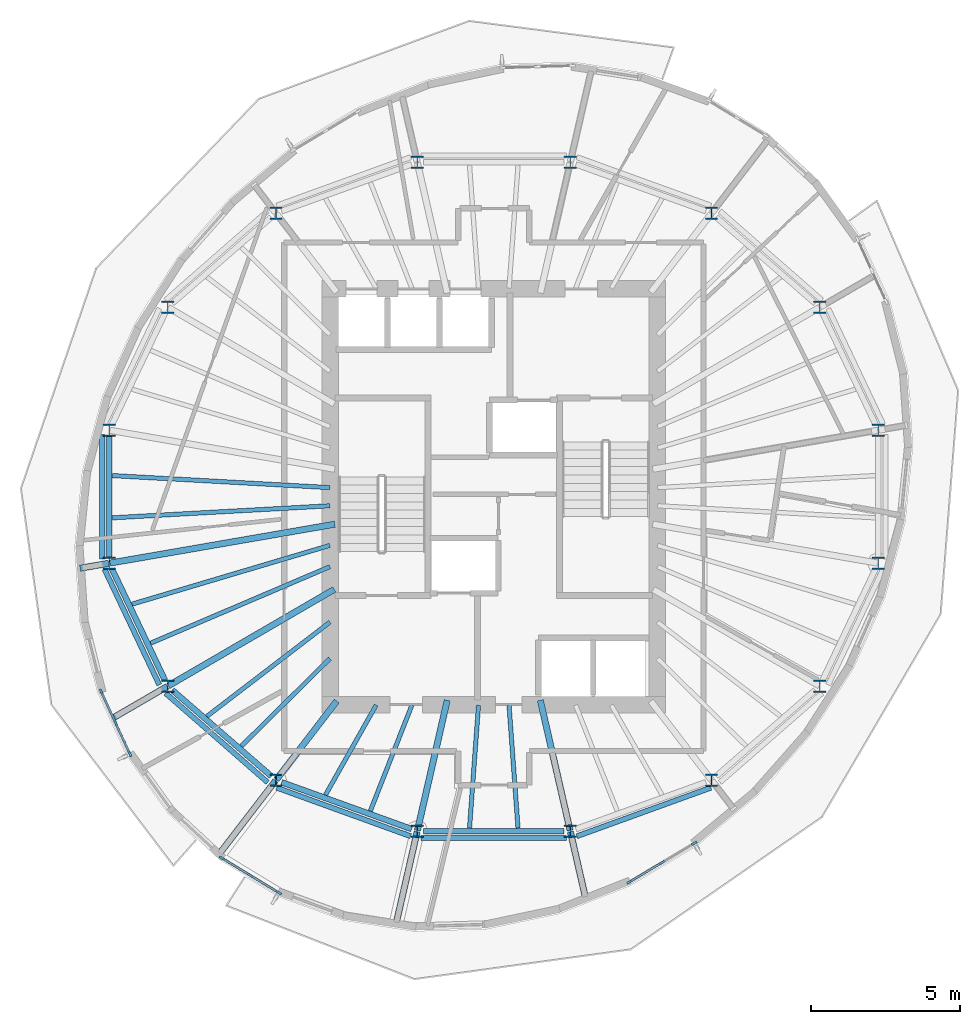
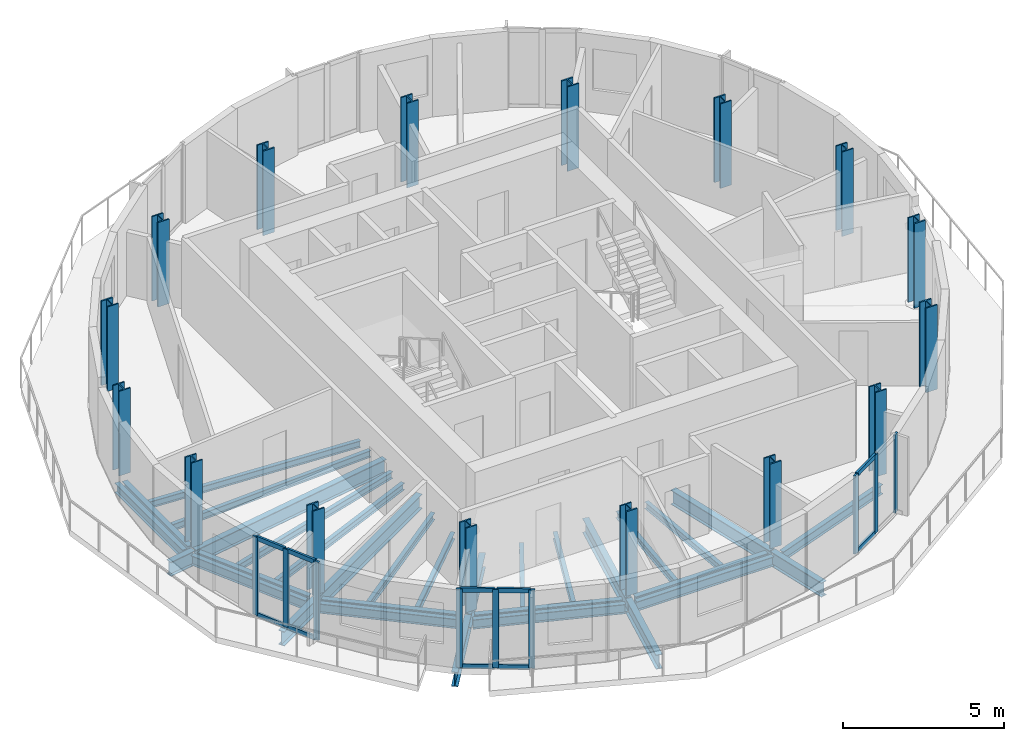
# One storey, part 1 of 11: 31 beams, 19 members, 16 columns, 3 elements without a shape of their own.
"""IFC4 building model written with IfcOpenShell, lengths in metres."""

from ifc_helpers import new_model, si_unit, direction, frame, origin, origin_2d, place, context, subcontext, project, spatial, rectangle, i_section, extrude, material, material_profile, profile_set, type_object, element, aggregate, save


model = new_model("IFC4")

# Units and contexts
model_context = context("Model", 3, precision=1e-05, world=origin(), true_north=direction((0.0, 1.0)))
body_context = subcontext(model_context, "Body", "Model", "MODEL_VIEW")
ifc_project = project(units=[si_unit("LENGTHUNIT", "METRE"), si_unit("AREAUNIT", "SQUARE_METRE"), si_unit("VOLUMEUNIT", "CUBIC_METRE"), si_unit("PLANEANGLEUNIT", "RADIAN"), si_unit("MASSUNIT", "GRAM", prefix="KILO")], contexts=[model_context])

# Site, building, storey
site_placement = place(None, origin())
site = spatial("IfcSite", under=ifc_project, at=site_placement, CompositionType="ELEMENT")
building_placement = place(site_placement, origin())
building = spatial("IfcBuilding", under=site, at=building_placement, Name="Veldorim Arch Residences", CompositionType="ELEMENT")
storey_placement = place(building_placement, frame((0.0, 0.0, 214.239990234375)))
storey = spatial("IfcBuildingStorey", under=building, at=storey_placement, Name="L64", CompositionType="ELEMENT", Elevation=214.239990234375)

# Columns
ifc_material_1 = material(Name="Steel S460", Category="steel")
ifc_material_profile_1 = material_profile(ifc_material_1, i_section(OverallWidth=0.406982421875, OverallDepth=0.4189453125, WebThickness=0.030517578125, FlangeThickness=0.04931640625, at=origin_2d()), Name="UC356x406x393")
ifc_profile_set_1 = profile_set([ifc_material_profile_1], Name="Steel S460")
column_type = type_object("IfcColumnType", Name="Structural Column UC356x406x393", PredefinedType="COLUMN", material=ifc_profile_set_1)
for number, where, z_axis, x_axis, name in (
    (1, (44.9462890625, 26.239501953125, 0.0), (0.0, 0.0, 1.0), (1.0, 0.0, 0.0), "L64 TC-Z4-01 perimeter column"),
    (2, (42.975341796875, 30.3779296875, 0.0), (0.0, 0.0, 1.0), (1.0, 0.0, 0.0), "L64 TC-Z4-02 perimeter column"),
    (3, (39.33349609375, 33.54541015625, 0.0), (0.0, 0.0, 1.0), (1.0, 0.0, 0.0), "L64 TC-Z4-03 perimeter column"),
    (4, (34.5751953125, 35.259521484375, 0.0), (0.0, 0.0, 1.0), (1.0, 0.0, 0.0), "L64 TC-Z4-04 perimeter column"),
    (5, (29.4248046875, 35.259521484375, 0.0), (0.0, 0.0, 1.0), (1.0, 0.0, 0.0), "L64 TC-Z4-05 perimeter column"),
    (6, (24.66650390625, 33.54541015625, 0.0), (0.0, 0.0, 1.0), (1.0, 0.0, 0.0), "L64 TC-Z4-06 perimeter column"),
    (7, (21.024658203125, 30.3779296875, 0.0), (0.0, 0.0, 1.0), (1.0, 0.0, 0.0), "L64 TC-Z4-07 perimeter column"),
    (8, (19.0537109375, 26.239501953125, 0.0), (0.0, 0.0, 1.0), (1.0, 0.0, 0.0), "L64 TC-Z4-08 perimeter column"),
    (9, (19.0537109375, 21.760498046875, 0.0), (0.0, 0.0, 1.0), (1.0, 0.0, 0.0), "L64 TC-Z4-09 perimeter column"),
    (10, (21.024658203125, 17.6220703125, 0.0), (0.0, 0.0, 1.0), (1.0, 0.0, 0.0), "L64 TC-Z4-10 perimeter column"),
    (11, (24.66650390625, 14.45458984375, 0.0), (0.0, 0.0, 1.0), (1.0, 0.0, 0.0), "L64 TC-Z4-11 perimeter column"),
    (12, (29.4248046875, 12.740478515625, 0.0), (0.0, 0.0, 1.0), (1.0, 0.0, 0.0), "L64 TC-Z4-12 perimeter column"),
    (13, (34.5751953125, 12.740478515625, 0.0), (0.0, 0.0, 1.0), (1.0, 0.0, 0.0), "L64 TC-Z4-13 perimeter column"),
    (14, (39.33349609375, 14.45458984375, 0.0), (0.0, 0.0, 1.0), (1.0, 0.0, 0.0), "L64 TC-Z4-14 perimeter column"),
    (15, (42.975341796875, 17.6220703125, 0.0), (0.0, 0.0, 1.0), (1.0, 0.0, 0.0), "L64 TC-Z4-15 perimeter column"),
    (16, (44.9462890625, 21.760498046875, 0.0), (0.0, 0.0, 1.0), (1.0, 0.0, 0.0), "L64 TC-Z4-16 perimeter column"),
):
    element("IfcColumn", number, at=place(storey_placement, frame(where, z_axis=z_axis, x_axis=x_axis)), inside=storey, type_object=column_type, Name=name, PredefinedType="COLUMN", context=body_context, shape_type="SweptSolid", body=[
        extrude(i_section(OverallWidth=0.406982421875, OverallDepth=0.4189453125, WebThickness=0.030517578125, FlangeThickness=0.04931640625, at=origin_2d()), origin(), (0.0, 0.0, 1.0), 3.199951171875),
    ])

# Beams
ifc_material_2 = material(Name="Steel S355", Category="steel")
ifc_material_profile_2 = material_profile(ifc_material_2, i_section(OverallWidth=0.2119140625, OverallDepth=0.54443359375, WebThickness=0.0126953125, FlangeThickness=0.021240234375, at=origin_2d()), Name="UB533x210x122")
ifc_profile_set_2 = profile_set([ifc_material_profile_2], Name="Steel S355")
beam_type_1 = type_object("IfcBeamType", Name="Structural Steel Beam UB533x210x122", PredefinedType="BEAM", material=ifc_profile_set_2)
beam_1_placement = place(storey_placement, frame((26.647705078125, 23.07421875, -0.51220703125), z_axis=(-0.985364974081, -0.170457818401, 0.0), x_axis=(0.170457818401, -0.985364974081, 0.0)))
element("IfcBeam", 17, at=beam_1_placement, inside=storey, type_object=beam_type_1, Name="L64 radial floor girder 09", PredefinedType="BEAM", context=body_context, shape_type="SweptSolid", body=[
    extrude(i_section(OverallWidth=0.2119140625, OverallDepth=0.54443359375, WebThickness=0.0126953125, FlangeThickness=0.021240234375, at=origin_2d()), origin(), (0.0, 0.0, 1.0), 7.68701171875),
])
beam_2_placement = place(storey_placement, frame((19.033935546875, 21.757080078125, -0.51220703125), z_axis=(-0.985356152623, -0.170508804723, 0.0), x_axis=(0.170508804723, -0.985356152623, 0.0)))
element("IfcBeam", 18, at=beam_2_placement, inside=storey, type_object=beam_type_1, Name="L64 radial edge cantilever girder 09", PredefinedType="BEAM", context=body_context, shape_type="SweptSolid", body=[
    extrude(i_section(OverallWidth=0.2119140625, OverallDepth=0.54443359375, WebThickness=0.0126953125, FlangeThickness=0.021240234375, at=origin_2d()), origin(), (0.0, 0.0, 1.0), 0.97802734375),
])
beam_3_placement = place(storey_placement, frame((26.629638671875, 20.87939453125, -0.51220703125), z_axis=(-0.864595736304, -0.502468121142, 0.0), x_axis=(0.502468121142, -0.864595736304, 0.0)))
element("IfcBeam", 19, at=beam_3_placement, inside=storey, type_object=beam_type_1, Name="L64 radial floor girder 10", PredefinedType="BEAM", context=body_context, shape_type="SweptSolid", body=[
    extrude(i_section(OverallWidth=0.2119140625, OverallDepth=0.54443359375, WebThickness=0.0126953125, FlangeThickness=0.021240234375, at=origin_2d()), origin(), (0.0, 0.0, 1.0), 6.462646484375),
])
beam_4_placement = place(storey_placement, frame((21.00732421875, 17.612060546875, -0.51220703125), z_axis=(-0.864602636906, -0.502456247105, 0.0), x_axis=(0.502456247105, -0.864602636906, 0.0)))
element("IfcBeam", 20, at=beam_4_placement, inside=storey, type_object=beam_type_1, Name="L64 radial edge cantilever girder 10", PredefinedType="BEAM", context=body_context, shape_type="SweptSolid", body=[
    extrude(i_section(OverallWidth=0.2119140625, OverallDepth=0.54443359375, WebThickness=0.0126953125, FlangeThickness=0.021240234375, at=origin_2d()), origin(), (0.0, 0.0, 1.0), 2.09326171875),
])
beam_5_placement = place(storey_placement, frame((26.71337890625, 17.118896484375, -0.51220703125), z_axis=(-0.609258442308, -0.792971721108, 0.0), x_axis=(0.792971721108, -0.609258442308, 0.0)))
element("IfcBeam", 21, at=beam_5_placement, inside=storey, type_object=beam_type_1, Name="L64 radial floor girder 11", PredefinedType="BEAM", context=body_context, shape_type="SweptSolid", body=[
    extrude(i_section(OverallWidth=0.2119140625, OverallDepth=0.54443359375, WebThickness=0.0126953125, FlangeThickness=0.021240234375, at=origin_2d()), origin(), (0.0, 0.0, 1.0), 3.339599609375),
])
beam_6_placement = place(storey_placement, frame((24.654296875, 14.438720703125, -0.51220703125), z_axis=(-0.609220133564, -0.793001153126, 0.0), x_axis=(0.793001153126, -0.609220133564, 0.0)))
element("IfcBeam", 22, at=beam_6_placement, inside=storey, type_object=beam_type_1, Name="L64 radial edge cantilever girder 11", PredefinedType="BEAM", context=body_context, shape_type="SweptSolid", body=[
    extrude(i_section(OverallWidth=0.2119140625, OverallDepth=0.54443359375, WebThickness=0.0126953125, FlangeThickness=0.021240234375, at=origin_2d()), origin(), (0.0, 0.0, 1.0), 3.151123046875),
])
beam_7_placement = place(storey_placement, frame((30.432373046875, 17.146240234375, -0.51220703125), z_axis=(-0.222952976993, -0.97482920045, 0.0), x_axis=(0.97482920045, -0.222952976993, 0.0)))
element("IfcBeam", 23, at=beam_7_placement, inside=storey, type_object=beam_type_1, Name="L64 radial floor girder 12", PredefinedType="BEAM", context=body_context, shape_type="SweptSolid", body=[
    extrude(i_section(OverallWidth=0.2119140625, OverallDepth=0.54443359375, WebThickness=0.0126953125, FlangeThickness=0.021240234375, at=origin_2d()), origin(), (0.0, 0.0, 1.0), 4.49951171875),
])
beam_8_placement = place(storey_placement, frame((29.42041015625, 12.72119140625, -0.51220703125), z_axis=(-0.22295712551, -0.974828251634, 0.0), x_axis=(0.974828251634, -0.22295712551, 0.0)))
element("IfcBeam", 24, at=beam_8_placement, inside=storey, type_object=beam_type_1, Name="L64 radial edge cantilever girder 12", PredefinedType="BEAM", context=body_context, shape_type="SweptSolid", body=[
    extrude(i_section(OverallWidth=0.2119140625, OverallDepth=0.54443359375, WebThickness=0.0126953125, FlangeThickness=0.021240234375, at=origin_2d()), origin(), (0.0, 0.0, 1.0), 3.206298828125),
])
beam_9_placement = place(storey_placement, frame((33.567626953125, 17.146240234375, -0.51220703125), z_axis=(0.222952976993, -0.97482920045, 0.0), x_axis=(0.97482920045, 0.222952976993, 0.0)))
element("IfcBeam", 25, at=beam_9_placement, inside=storey, type_object=beam_type_1, Name="L64 radial floor girder 13", PredefinedType="BEAM", context=body_context, shape_type="SweptSolid", body=[
    extrude(i_section(OverallWidth=0.2119140625, OverallDepth=0.54443359375, WebThickness=0.0126953125, FlangeThickness=0.021240234375, at=origin_2d()), origin(), (0.0, 0.0, 1.0), 4.49951171875),
])
beam_10_placement = place(storey_placement, frame((34.57958984375, 12.72119140625, -0.51220703125), z_axis=(0.222989981251, -0.974820736475, 0.0), x_axis=(0.974820736475, 0.222989981251, 0.0)))
element("IfcBeam", 26, at=beam_10_placement, inside=storey, type_object=beam_type_1, Name="L64 radial edge cantilever girder 13", PredefinedType="BEAM", context=body_context, shape_type="SweptSolid", body=[
    extrude(i_section(OverallWidth=0.2119140625, OverallDepth=0.54443359375, WebThickness=0.0126953125, FlangeThickness=0.021240234375, at=origin_2d()), origin(), (0.0, 0.0, 1.0), 2.32763671875),
])
ifc_material_3 = material(Name="Steel S355", Category="steel")
ifc_material_profile_3 = material_profile(ifc_material_3, i_section(OverallWidth=0.146484375, OverallDepth=0.256103515625, WebThickness=0.00634765625, FlangeThickness=0.010986328125, at=origin_2d()), Name="UB254x146x37")
ifc_profile_set_3 = profile_set([ifc_material_profile_3], Name="Steel S355")
beam_type_2 = type_object("IfcBeamType", Name="Structural Steel Joist UB254x146x37", PredefinedType="JOIST", material=ifc_profile_set_3)
for number, where, z_axis, x_axis, name in (
    (27, (26.47998046875, 24.3056640625, -0.367919921875), (-0.998472000884, 0.055259962464, 0.0), (-0.055259962464, -0.998472000884, 0.0), "L64 secondary radial floor joist 08-1"),
    (28, (26.47998046875, 23.6943359375, -0.367919921875), (-0.998472000884, -0.055259962464, 0.0), (0.055259962464, -0.998472000884, 0.0), "L64 secondary radial floor joist 08-2"),
):
    element("IfcBeam", number, at=place(storey_placement, frame(where, z_axis=z_axis, x_axis=x_axis)), inside=storey, type_object=beam_type_2, Name=name, PredefinedType="JOIST", context=body_context, shape_type="SweptSolid", body=[
        extrude(i_section(OverallWidth=0.146484375, OverallDepth=0.256103515625, WebThickness=0.00634765625, FlangeThickness=0.010986328125, at=origin_2d()), origin(), (0.0, 0.0, 1.0), 7.33837890625),
    ])
beam_11_placement = place(storey_placement, frame((26.480712890625, 22.360595703125, -0.367919921875), z_axis=(-0.958594432792, -0.284774846889, 0.0), x_axis=(0.284774846889, -0.958594432792, 0.0)))
element("IfcBeam", 29, at=beam_11_placement, inside=storey, type_object=beam_type_2, Name="L64 secondary radial floor joist 09-1", PredefinedType="JOIST", context=body_context, shape_type="SweptSolid", body=[
    extrude(i_section(OverallWidth=0.146484375, OverallDepth=0.256103515625, WebThickness=0.00634765625, FlangeThickness=0.010986328125, at=origin_2d()), origin(), (0.0, 0.0, 1.0), 6.949462890625),
])
beam_12_placement = place(storey_placement, frame((26.481689453125, 21.644287109375, -0.367919921875), z_axis=(-0.919725161652, -0.392562895629, 0.0), x_axis=(0.392562895629, -0.919725161652, 0.0)))
element("IfcBeam", 30, at=beam_12_placement, inside=storey, type_object=beam_type_2, Name="L64 secondary radial floor joist 09-2", PredefinedType="JOIST", context=body_context, shape_type="SweptSolid", body=[
    extrude(i_section(OverallWidth=0.146484375, OverallDepth=0.256103515625, WebThickness=0.00634765625, FlangeThickness=0.010986328125, at=origin_2d()), origin(), (0.0, 0.0, 1.0), 6.5625),
])
beam_13_placement = place(storey_placement, frame((26.484130859375, 19.777099609375, -0.367919921875), z_axis=(-0.794013672216, -0.607899899929, 0.0), x_axis=(0.607899899929, -0.794013672216, 0.0)))
element("IfcBeam", 31, at=beam_13_placement, inside=storey, type_object=beam_type_2, Name="L64 secondary radial floor joist 10-1", PredefinedType="JOIST", context=body_context, shape_type="SweptSolid", body=[
    extrude(i_section(OverallWidth=0.146484375, OverallDepth=0.256103515625, WebThickness=0.00634765625, FlangeThickness=0.010986328125, at=origin_2d()), origin(), (0.0, 0.0, 1.0), 5.217041015625),
])
beam_14_placement = place(storey_placement, frame((26.48583984375, 18.55224609375, -0.367919921875), z_axis=(-0.711396725432, -0.702790650937, 0.0), x_axis=(0.702790650937, -0.711396725432, 0.0)))
element("IfcBeam", 32, at=beam_14_placement, inside=storey, type_object=beam_type_2, Name="L64 secondary radial floor joist 10-2", PredefinedType="JOIST", context=body_context, shape_type="SweptSolid", body=[
    extrude(i_section(OverallWidth=0.146484375, OverallDepth=0.256103515625, WebThickness=0.00634765625, FlangeThickness=0.010986328125, at=origin_2d()), origin(), (0.0, 0.0, 1.0), 4.198486328125),
])
beam_15_placement = place(storey_placement, frame((28.039794921875, 16.982666015625, -0.367919921875), z_axis=(-0.491452469585, -0.870904397818, 0.0), x_axis=(0.870904397818, -0.491452469585, 0.0)))
element("IfcBeam", 33, at=beam_15_placement, inside=storey, type_object=beam_type_2, Name="L64 secondary radial floor joist 11-1", PredefinedType="JOIST", context=body_context, shape_type="SweptSolid", body=[
    extrude(i_section(OverallWidth=0.146484375, OverallDepth=0.256103515625, WebThickness=0.00634765625, FlangeThickness=0.010986328125, at=origin_2d()), origin(), (0.0, 0.0, 1.0), 3.472412109375),
])
beam_16_placement = place(storey_placement, frame((29.24365234375, 16.9814453125, -0.367919921875), z_axis=(-0.365581383042, -0.930779379001, 0.0), x_axis=(0.930779379001, -0.365581383042, 0.0)))
element("IfcBeam", 34, at=beam_16_placement, inside=storey, type_object=beam_type_2, Name="L64 secondary radial floor joist 11-2", PredefinedType="JOIST", context=body_context, shape_type="SweptSolid", body=[
    extrude(i_section(OverallWidth=0.146484375, OverallDepth=0.256103515625, WebThickness=0.00634765625, FlangeThickness=0.010986328125, at=origin_2d()), origin(), (0.0, 0.0, 1.0), 3.83056640625),
])
for number, where, z_axis, x_axis, name in (
    (35, (31.486083984375, 16.97998046875, -0.367919921875), (-0.072985625899, -0.997332992742, 0.0), (0.997332992742, -0.072985625899, 0.0), "L64 secondary radial floor joist 12-1"),
    (36, (32.513916015625, 16.97998046875, -0.367919921875), (0.072985625899, -0.997332992742, 0.0), (0.997332992742, 0.072985625899, 0.0), "L64 secondary radial floor joist 12-2"),
):
    element("IfcBeam", number, at=place(storey_placement, frame(where, z_axis=z_axis, x_axis=x_axis)), inside=storey, type_object=beam_type_2, Name=name, PredefinedType="JOIST", context=body_context, shape_type="SweptSolid", body=[
        extrude(i_section(OverallWidth=0.146484375, OverallDepth=0.256103515625, WebThickness=0.00634765625, FlangeThickness=0.010986328125, at=origin_2d()), origin(), (0.0, 0.0, 1.0), 4.151123046875),
    ])
ifc_material_4 = material(Name="Steel S355", Category="steel")
ifc_material_profile_4 = material_profile(ifc_material_4, i_section(OverallWidth=0.172119140625, OverallDepth=0.35791015625, WebThickness=0.008056640625, FlangeThickness=0.012939453125, at=origin_2d()), Name="UB356x171x57")
ifc_profile_set_4 = profile_set([ifc_material_profile_4], Name="Steel S355")
beam_type_3 = type_object("IfcBeamType", Name="Structural Steel Spandrel UB356x171x57", PredefinedType="SPANDREL", material=ifc_profile_set_4)
beam_17_placement = place(storey_placement, frame((18.817138671875, 26.101318359375, -0.43896484375), z_axis=(0.0, -1.0, 0.0), x_axis=(1.0, 0.0, 0.0)))
element("IfcBeam", 37, at=beam_17_placement, inside=storey, type_object=beam_type_3, Name="L64 perimeter chord spandrel beam 08", PredefinedType="SPANDREL", context=body_context, shape_type="SweptSolid", body=[
    extrude(i_section(OverallWidth=0.172119140625, OverallDepth=0.35791015625, WebThickness=0.008056640625, FlangeThickness=0.012939453125, at=origin_2d()), origin(), (0.0, 0.0, 1.0), 4.20263671875),
])
beam_18_placement = place(storey_placement, frame((18.893798828125, 21.5576171875, -0.43896484375), z_axis=(0.428468601304, -0.903556670994, 0.0), x_axis=(0.903556670994, 0.428468601304, 0.0)))
element("IfcBeam", 38, at=beam_18_placement, inside=storey, type_object=beam_type_3, Name="L64 perimeter chord spandrel beam 09", PredefinedType="SPANDREL", context=body_context, shape_type="SweptSolid", body=[
    extrude(i_section(OverallWidth=0.172119140625, OverallDepth=0.35791015625, WebThickness=0.008056640625, FlangeThickness=0.012939453125, at=origin_2d()), origin(), (0.0, 0.0, 1.0), 4.31005859375),
])
beam_19_placement = place(storey_placement, frame((20.951904296875, 17.3837890625, -0.43896484375), z_axis=(0.752868439096, -0.658171036596, 0.0), x_axis=(0.658171036596, 0.752868439096, 0.0)))
element("IfcBeam", 39, at=beam_19_placement, inside=storey, type_object=beam_type_3, Name="L64 perimeter chord spandrel beam 10", PredefinedType="SPANDREL", context=body_context, shape_type="SweptSolid", body=[
    extrude(i_section(OverallWidth=0.172119140625, OverallDepth=0.35791015625, WebThickness=0.008056640625, FlangeThickness=0.012939453125, at=origin_2d()), origin(), (0.0, 0.0, 1.0), 4.560791015625),
])
beam_20_placement = place(storey_placement, frame((24.688720703125, 14.203369140625, -0.43896484375), z_axis=(0.940178823137, -0.340681347486, 0.0), x_axis=(0.340681347486, 0.940178823137, 0.0)))
element("IfcBeam", 40, at=beam_20_placement, inside=storey, type_object=beam_type_3, Name="L64 perimeter chord spandrel beam 11", PredefinedType="SPANDREL", context=body_context, shape_type="SweptSolid", body=[
    extrude(i_section(OverallWidth=0.172119140625, OverallDepth=0.35791015625, WebThickness=0.008056640625, FlangeThickness=0.012939453125, at=origin_2d()), origin(), (0.0, 0.0, 1.0), 4.80126953125),
])
beam_21_placement = place(storey_placement, frame((29.55029296875, 12.506591796875, -0.43896484375), z_axis=(1.0, 0.0, 0.0), x_axis=(0.0, 1.0, 0.0)))
element("IfcBeam", 41, at=beam_21_placement, inside=storey, type_object=beam_type_3, Name="L64 perimeter chord spandrel beam 12", PredefinedType="SPANDREL", context=body_context, shape_type="SweptSolid", body=[
    extrude(i_section(OverallWidth=0.172119140625, OverallDepth=0.35791015625, WebThickness=0.008056640625, FlangeThickness=0.012939453125, at=origin_2d()), origin(), (0.0, 0.0, 1.0), 4.8994140625),
])
beam_22_placement = place(storey_placement, frame((34.797119140625, 12.567626953125, -0.43896484375), z_axis=(0.940178823137, 0.340681347486, 0.0), x_axis=(-0.340681347486, 0.940178823137, 0.0)))
element("IfcBeam", 42, at=beam_22_placement, inside=storey, type_object=beam_type_3, Name="L64 perimeter chord spandrel beam 13", PredefinedType="SPANDREL", context=body_context, shape_type="SweptSolid", body=[
    extrude(i_section(OverallWidth=0.172119140625, OverallDepth=0.35791015625, WebThickness=0.008056640625, FlangeThickness=0.012939453125, at=origin_2d()), origin(), (0.0, 0.0, 1.0), 4.80126953125),
])
ifc_material_5 = material(Name="Steel S355", Category="steel")
ifc_material_profile_5 = material_profile(ifc_material_5, i_section(OverallWidth=0.19140625, OverallDepth=0.4599609375, WebThickness=0.010009765625, FlangeThickness=0.01611328125, at=origin_2d()), Name="UB457x191x82")
ifc_profile_set_5 = profile_set([ifc_material_profile_5], Name="Steel S355")
beam_type_4 = type_object("IfcBeamType", Name="Structural Steel Spandrel UB457x191x82", PredefinedType="SPANDREL", material=ifc_profile_set_5)
beam_23_placement = place(storey_placement, frame((19.0537109375, 26.0361328125, -0.469970703125), z_axis=(0.0, -1.0, 0.0), x_axis=(1.0, 0.0, 0.0)))
element("IfcBeam", 43, at=beam_23_placement, inside=storey, type_object=beam_type_4, Name="L64 perimeter ring tie beam 08", PredefinedType="SPANDREL", context=body_context, shape_type="SweptSolid", body=[
    extrude(i_section(OverallWidth=0.19140625, OverallDepth=0.4599609375, WebThickness=0.010009765625, FlangeThickness=0.01611328125, at=origin_2d()), origin(), (0.0, 0.0, 1.0), 4.072265625),
])
beam_24_placement = place(storey_placement, frame((19.14111328125, 21.57666015625, -0.469970703125), z_axis=(0.429992574394, -0.902832424078, 0.0), x_axis=(0.902832424078, 0.429992574394, 0.0)))
element("IfcBeam", 44, at=beam_24_placement, inside=storey, type_object=beam_type_4, Name="L64 perimeter ring tie beam 09", PredefinedType="SPANDREL", context=body_context, shape_type="SweptSolid", body=[
    extrude(i_section(OverallWidth=0.19140625, OverallDepth=0.4599609375, WebThickness=0.010009765625, FlangeThickness=0.01611328125, at=origin_2d()), origin(), (0.0, 0.0, 1.0), 4.176513671875),
])
beam_25_placement = place(storey_placement, frame((21.17822265625, 17.488525390625, -0.469970703125), z_axis=(0.754534162517, -0.656260769508, 0.0), x_axis=(0.656260769508, 0.754534162517, 0.0)))
element("IfcBeam", 45, at=beam_25_placement, inside=storey, type_object=beam_type_4, Name="L64 perimeter ring tie beam 10", PredefinedType="SPANDREL", context=body_context, shape_type="SweptSolid", body=[
    extrude(i_section(OverallWidth=0.19140625, OverallDepth=0.4599609375, WebThickness=0.010009765625, FlangeThickness=0.01611328125, at=origin_2d()), origin(), (0.0, 0.0, 1.0), 4.419677734375),
])
beam_26_placement = place(storey_placement, frame((24.85791015625, 14.3857421875, -0.469970703125), z_axis=(0.940819134121, -0.338909068736, 0.0), x_axis=(0.338909068736, 0.940819134121, 0.0)))
element("IfcBeam", 46, at=beam_26_placement, inside=storey, type_object=beam_type_4, Name="L64 perimeter ring tie beam 11", PredefinedType="SPANDREL", context=body_context, shape_type="SweptSolid", body=[
    extrude(i_section(OverallWidth=0.19140625, OverallDepth=0.4599609375, WebThickness=0.010009765625, FlangeThickness=0.01611328125, at=origin_2d()), origin(), (0.0, 0.0, 1.0), 4.650634765625),
])
beam_27_placement = place(storey_placement, frame((29.62841796875, 12.740478515625, -0.469970703125), z_axis=(1.0, 0.0, 0.0), x_axis=(0.0, 1.0, 0.0)))
element("IfcBeam", 47, at=beam_27_placement, inside=storey, type_object=beam_type_4, Name="L64 perimeter ring tie beam 12", PredefinedType="SPANDREL", context=body_context, shape_type="SweptSolid", body=[
    extrude(i_section(OverallWidth=0.19140625, OverallDepth=0.4599609375, WebThickness=0.010009765625, FlangeThickness=0.01611328125, at=origin_2d()), origin(), (0.0, 0.0, 1.0), 4.7431640625),
])

# Curtain wall, members
ifc_material_6 = material(Name="Aluminium", Category="aluminium")
curtain_wall_type = type_object("IfcCurtainWallType", Name="Zone 4 High-Altitude Unitised Curtain Wall", PredefinedType="NOTDEFINED", material=ifc_material_6)
curtain_wall_1_placement = place(storey_placement, origin())
curtain_wall_1 = element("IfcCurtainWall", 48, at=curtain_wall_1_placement, inside=storey, type_object=curtain_wall_type, Name="L64 unitised curtain wall bay 16", PredefinedType="NOTDEFINED")
ifc_material_7 = material(Name="Aluminium", Category="aluminium")
ifc_material_profile_6 = material_profile(ifc_material_7, rectangle(XDim=0.074951171875, YDim=0.195068359375, at=origin_2d()), Name="ALU_MUL_75x195")
ifc_profile_set_6 = profile_set([ifc_material_profile_6], Name="Aluminium")
member_type_1 = type_object("IfcMemberType", Name="Zone 4 High-Altitude Unitised Curtain Wall Mullion 75x195", PredefinedType="MULLION", material=ifc_profile_set_6)
member_1_placement = place(storey_placement, frame((19.751708984375, 15.333251953125, 0.0), z_axis=(0.0, 0.0, 1.0), x_axis=(-0.908400123828, -0.418101919427, 0.0)))
member_1 = element("IfcMember", 49, at=member_1_placement, type_object=member_type_1, Name="CW-Z4 mullion 1", PredefinedType="MULLION", context=body_context, shape_type="SweptSolid", body=[
    extrude(rectangle(XDim=0.074951171875, YDim=0.195068359375, at=origin_2d()), origin(), (0.0, 0.0, 1.0), 2.9599609375),
])
member_2_placement = place(storey_placement, frame((19.268310546875, 16.3837890625, 0.0), z_axis=(0.0, 0.0, 1.0), x_axis=(-0.908400123828, -0.418101919427, 0.0)))
member_2 = element("IfcMember", 50, at=member_2_placement, type_object=member_type_1, Name="CW-Z4 mullion 2", PredefinedType="MULLION", context=body_context, shape_type="SweptSolid", body=[
    extrude(rectangle(XDim=0.074951171875, YDim=0.195068359375, at=origin_2d()), origin(), (0.0, 0.0, 1.0), 2.9599609375),
])
member_3_placement = place(storey_placement, frame((18.78466796875, 17.434326171875, 0.0), z_axis=(0.0, 0.0, 1.0), x_axis=(-0.908400123828, -0.418101919427, 0.0)))
member_3 = element("IfcMember", 51, at=member_3_placement, type_object=member_type_1, Name="CW-Z4 mullion 3", PredefinedType="MULLION", context=body_context, shape_type="SweptSolid", body=[
    extrude(rectangle(XDim=0.074951171875, YDim=0.195068359375, at=origin_2d()), origin(), (0.0, 0.0, 1.0), 2.9599609375),
])

curtain_wall_2_placement = place(storey_placement, origin())
curtain_wall_2 = element("IfcCurtainWall", 52, at=curtain_wall_2_placement, inside=storey, type_object=curtain_wall_type, Name="L64 unitised curtain wall bay 19", PredefinedType="NOTDEFINED")
member_4_placement = place(storey_placement, frame((24.763427734375, 10.665283203125, 0.0), z_axis=(0.0, 0.0, 1.0), x_axis=(-0.520032918989, -0.854146218846, 0.0)))
member_4 = element("IfcMember", 53, at=member_4_placement, type_object=member_type_1, Name="CW-Z4 mullion 1", PredefinedType="MULLION", context=body_context, shape_type="SweptSolid", body=[
    extrude(rectangle(XDim=0.074951171875, YDim=0.195068359375, at=origin_2d()), origin(), (0.0, 0.0, 1.0), 2.9599609375),
])
member_5_placement = place(storey_placement, frame((23.802734375, 11.250244140625, 0.0), z_axis=(0.0, 0.0, 1.0), x_axis=(-0.520032918989, -0.854146218846, 0.0)))
member_5 = element("IfcMember", 54, at=member_5_placement, type_object=member_type_1, Name="CW-Z4 mullion 2", PredefinedType="MULLION", context=body_context, shape_type="SweptSolid", body=[
    extrude(rectangle(XDim=0.074951171875, YDim=0.195068359375, at=origin_2d()), origin(), (0.0, 0.0, 1.0), 2.9599609375),
])
member_6_placement = place(storey_placement, frame((22.842041015625, 11.835205078125, 0.0), z_axis=(0.0, 0.0, 1.0), x_axis=(-0.520032918989, -0.854146218846, 0.0)))
member_6 = element("IfcMember", 55, at=member_6_placement, type_object=member_type_1, Name="CW-Z4 mullion 3", PredefinedType="MULLION", context=body_context, shape_type="SweptSolid", body=[
    extrude(rectangle(XDim=0.074951171875, YDim=0.195068359375, at=origin_2d()), origin(), (0.0, 0.0, 1.0), 2.9599609375),
])

curtain_wall_3_placement = place(storey_placement, origin())
curtain_wall_3 = element("IfcCurtainWall", 56, at=curtain_wall_3_placement, inside=storey, type_object=curtain_wall_type, Name="L64 unitised curtain wall bay 25", PredefinedType="NOTDEFINED")
member_7_placement = place(storey_placement, frame((38.748291015625, 12.3310546875, 0.0), z_axis=(0.0, 0.0, 1.0), x_axis=(0.512816771325, -0.85849808331, 0.0)))
member_7 = element("IfcMember", 57, at=member_7_placement, type_object=member_type_1, Name="CW-Z4 mullion 1", PredefinedType="MULLION", context=body_context, shape_type="SweptSolid", body=[
    extrude(rectangle(XDim=0.074951171875, YDim=0.195068359375, at=origin_2d()), origin(), (0.0, 0.0, 1.0), 2.9599609375),
])
member_8_placement = place(storey_placement, frame((37.659423828125, 11.6806640625, 0.0), z_axis=(0.0, 0.0, 1.0), x_axis=(0.512816771325, -0.85849808331, 0.0)))
member_8 = element("IfcMember", 58, at=member_8_placement, type_object=member_type_1, Name="CW-Z4 mullion 2", PredefinedType="MULLION", context=body_context, shape_type="SweptSolid", body=[
    extrude(rectangle(XDim=0.074951171875, YDim=0.195068359375, at=origin_2d()), origin(), (0.0, 0.0, 1.0), 2.9599609375),
])
member_9_placement = place(storey_placement, frame((36.570556640625, 11.0302734375, 0.0), z_axis=(0.0, 0.0, 1.0), x_axis=(0.512816771325, -0.85849808331, 0.0)))
member_9 = element("IfcMember", 59, at=member_9_placement, type_object=member_type_1, Name="CW-Z4 mullion 3", PredefinedType="MULLION", context=body_context, shape_type="SweptSolid", body=[
    extrude(rectangle(XDim=0.074951171875, YDim=0.195068359375, at=origin_2d()), origin(), (0.0, 0.0, 1.0), 2.9599609375),
])

# Member
ifc_material_8 = material(Name="Aluminium", Category="aluminium")
ifc_material_profile_7 = material_profile(ifc_material_8, rectangle(XDim=0.074951171875, YDim=0.1650390625, at=origin_2d()), Name="ALU_TRN_75x165")
ifc_profile_set_7 = profile_set([ifc_material_profile_7], Name="Aluminium")
member_type_2 = type_object("IfcMemberType", Name="Zone 4 High-Altitude Unitised Curtain Wall Transom 75x165", PredefinedType="USERDEFINED", material=ifc_profile_set_7)
member_10_placement = place(storey_placement, frame((19.736083984375, 15.367431640625, 0.03759765625), z_axis=(-0.418084469108, 0.908408155341, 0.0), x_axis=(-0.908408155341, -0.418084469108, 0.0)))
member_10 = element("IfcMember", 60, at=member_10_placement, type_object=member_type_2, Name="CW-Z4 transom 1.1", ObjectType="TRANSOM", PredefinedType="USERDEFINED", context=body_context, shape_type="SweptSolid", body=[
    extrude(rectangle(XDim=0.074951171875, YDim=0.1650390625, at=origin_2d()), origin(), (0.0, 0.0, 1.0), 1.08154296875),
])

member_11_placement = place(storey_placement, frame((19.736083984375, 15.367431640625, 2.922607421875), z_axis=(-0.418084469108, 0.908408155341, 0.0), x_axis=(-0.908408155341, -0.418084469108, 0.0)))
member_11 = element("IfcMember", 61, at=member_11_placement, type_object=member_type_2, Name="CW-Z4 transom 1.2", ObjectType="TRANSOM", PredefinedType="USERDEFINED", context=body_context, shape_type="SweptSolid", body=[
    extrude(rectangle(XDim=0.074951171875, YDim=0.1650390625, at=origin_2d()), origin(), (0.0, 0.0, 1.0), 1.08154296875),
])

member_12_placement = place(storey_placement, frame((19.252685546875, 16.41796875, 0.03759765625), z_axis=(-0.418084469108, 0.908408155341, 0.0), x_axis=(-0.908408155341, -0.418084469108, 0.0)))
member_12 = element("IfcMember", 62, at=member_12_placement, type_object=member_type_2, Name="CW-Z4 transom 2.1", ObjectType="TRANSOM", PredefinedType="USERDEFINED", context=body_context, shape_type="SweptSolid", body=[
    extrude(rectangle(XDim=0.074951171875, YDim=0.1650390625, at=origin_2d()), origin(), (0.0, 0.0, 1.0), 1.08154296875),
])

member_13_placement = place(storey_placement, frame((19.252685546875, 16.41796875, 2.922607421875), z_axis=(-0.418084469108, 0.908408155341, 0.0), x_axis=(-0.908408155341, -0.418084469108, 0.0)))
member_13 = element("IfcMember", 63, at=member_13_placement, type_object=member_type_2, Name="CW-Z4 transom 2.2", ObjectType="TRANSOM", PredefinedType="USERDEFINED", context=body_context, shape_type="SweptSolid", body=[
    extrude(rectangle(XDim=0.074951171875, YDim=0.1650390625, at=origin_2d()), origin(), (0.0, 0.0, 1.0), 1.08154296875),
])

aggregate(curtain_wall_1, [member_1, member_2, member_3, member_10, member_11, member_12, member_13])

member_14_placement = place(storey_placement, frame((24.7314453125, 10.684814453125, 0.03759765625), z_axis=(-0.854171610256, 0.519991211688, 0.0), x_axis=(-0.519991211688, -0.854171610256, 0.0)))
member_14 = element("IfcMember", 64, at=member_14_placement, type_object=member_type_2, Name="CW-Z4 transom 1.1", ObjectType="TRANSOM", PredefinedType="USERDEFINED", context=body_context, shape_type="SweptSolid", body=[
    extrude(rectangle(XDim=0.074951171875, YDim=0.1650390625, at=origin_2d()), origin(), (0.0, 0.0, 1.0), 1.0498046875),
])

member_15_placement = place(storey_placement, frame((24.7314453125, 10.684814453125, 2.922607421875), z_axis=(-0.854171610256, 0.519991211688, 0.0), x_axis=(-0.519991211688, -0.854171610256, 0.0)))
member_15 = element("IfcMember", 65, at=member_15_placement, type_object=member_type_2, Name="CW-Z4 transom 1.2", ObjectType="TRANSOM", PredefinedType="USERDEFINED", context=body_context, shape_type="SweptSolid", body=[
    extrude(rectangle(XDim=0.074951171875, YDim=0.1650390625, at=origin_2d()), origin(), (0.0, 0.0, 1.0), 1.0498046875),
])

member_16_placement = place(storey_placement, frame((23.770751953125, 11.269775390625, 0.03759765625), z_axis=(-0.854171610256, 0.519991211688, 0.0), x_axis=(-0.519991211688, -0.854171610256, 0.0)))
member_16 = element("IfcMember", 66, at=member_16_placement, type_object=member_type_2, Name="CW-Z4 transom 2.1", ObjectType="TRANSOM", PredefinedType="USERDEFINED", context=body_context, shape_type="SweptSolid", body=[
    extrude(rectangle(XDim=0.074951171875, YDim=0.1650390625, at=origin_2d()), origin(), (0.0, 0.0, 1.0), 1.0498046875),
])

member_17_placement = place(storey_placement, frame((23.770751953125, 11.269775390625, 2.922607421875), z_axis=(-0.854171610256, 0.519991211688, 0.0), x_axis=(-0.519991211688, -0.854171610256, 0.0)))
member_17 = element("IfcMember", 67, at=member_17_placement, type_object=member_type_2, Name="CW-Z4 transom 2.2", ObjectType="TRANSOM", PredefinedType="USERDEFINED", context=body_context, shape_type="SweptSolid", body=[
    extrude(rectangle(XDim=0.074951171875, YDim=0.1650390625, at=origin_2d()), origin(), (0.0, 0.0, 1.0), 1.0498046875),
])

aggregate(curtain_wall_2, [member_4, member_5, member_6, member_14, member_15, member_16, member_17])

member_18_placement = place(storey_placement, frame((37.627197265625, 11.66162109375, 0.03759765625), z_axis=(-0.858448189445, -0.512900288593, 0.0), x_axis=(0.512900288593, -0.858448189445, 0.0)))
member_18 = element("IfcMember", 68, at=member_18_placement, type_object=member_type_2, Name="CW-Z4 transom 2.1", ObjectType="TRANSOM", PredefinedType="USERDEFINED", context=body_context, shape_type="SweptSolid", body=[
    extrude(rectangle(XDim=0.074951171875, YDim=0.1650390625, at=origin_2d()), origin(), (0.0, 0.0, 1.0), 1.193359375),
])

member_19_placement = place(storey_placement, frame((37.627197265625, 11.66162109375, 2.922607421875), z_axis=(-0.858448189445, -0.512900288593, 0.0), x_axis=(0.512900288593, -0.858448189445, 0.0)))
member_19 = element("IfcMember", 69, at=member_19_placement, type_object=member_type_2, Name="CW-Z4 transom 2.2", ObjectType="TRANSOM", PredefinedType="USERDEFINED", context=body_context, shape_type="SweptSolid", body=[
    extrude(rectangle(XDim=0.074951171875, YDim=0.1650390625, at=origin_2d()), origin(), (0.0, 0.0, 1.0), 1.193359375),
])

aggregate(curtain_wall_3, [member_7, member_8, member_9, member_18, member_19])

save(model, "model.ifc")
